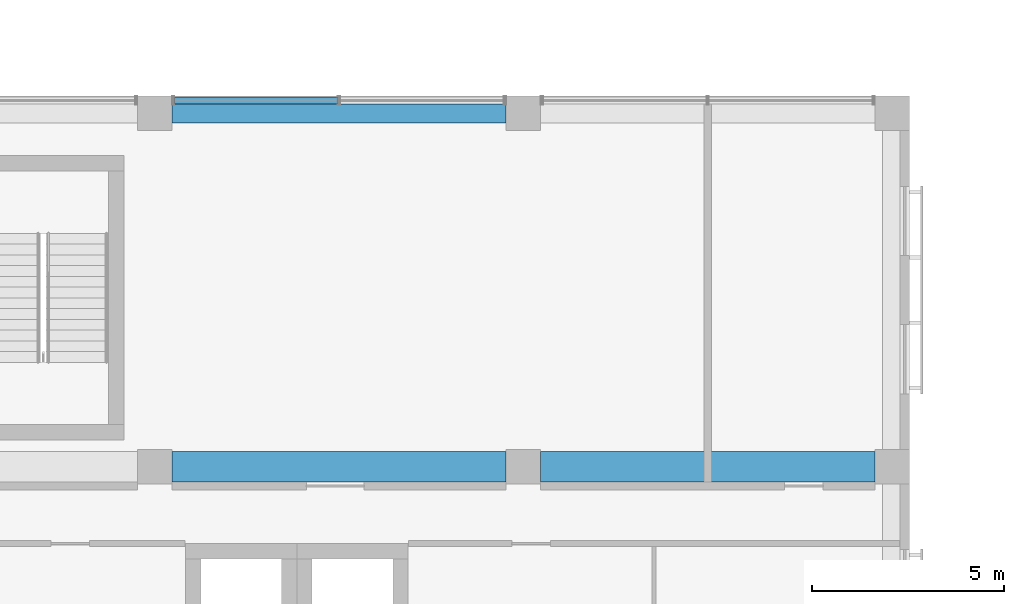
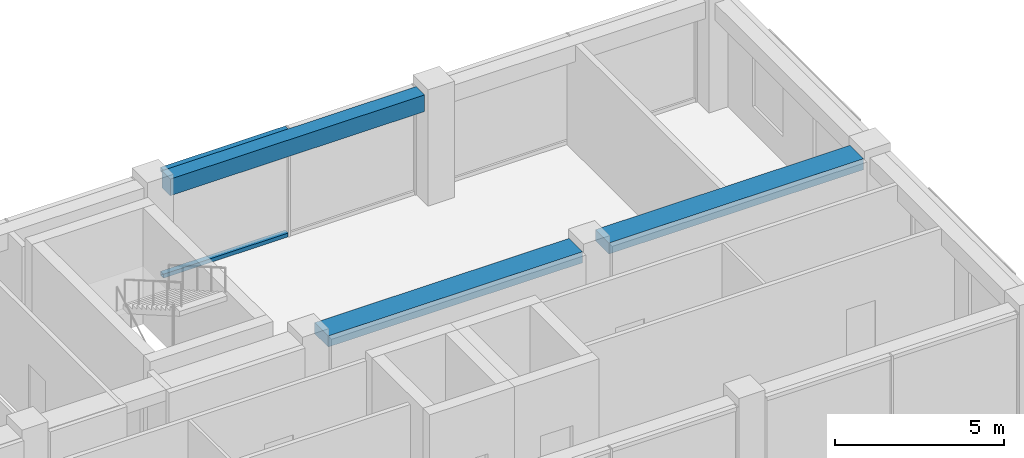
# One storey, part 23 of 36: 3 beams, 2 members, 1 element without a shape of its own.
"""IFC4 building model written with IfcOpenShell, lengths in metres."""

from ifc_helpers import new_model, si_unit, direction, frame, origin, origin_2d, place, context, subcontext, project, spatial, rectangle, hollow_rectangle, extrude, material, layer, layer_set, material_profile, profile_set, type_object, element, aggregate, save


model = new_model("IFC4")

# Units and contexts
model_context = context("Model", 3, precision=1e-05, world=origin(), true_north=direction((0.0, 1.0)))
body_context = subcontext(model_context, "Body", "Model", "MODEL_VIEW")
ifc_project = project(units=[si_unit("LENGTHUNIT", "METRE"), si_unit("AREAUNIT", "SQUARE_METRE"), si_unit("VOLUMEUNIT", "CUBIC_METRE"), si_unit("PLANEANGLEUNIT", "RADIAN"), si_unit("MASSUNIT", "GRAM", prefix="KILO")], contexts=[model_context])

# Site, building, storey
site_placement = place(None, origin())
site = spatial("IfcSite", under=ifc_project, at=site_placement, CompositionType="ELEMENT")
building_placement = place(site_placement, origin())
building = spatial("IfcBuilding", under=site, at=building_placement, Name="Nzadi Deep Aquarium and Research Tower", CompositionType="ELEMENT")
storey_placement = place(building_placement, frame((0.0, 0.0, 44.5)))
storey = spatial("IfcBuildingStorey", under=building, at=storey_placement, Name="L08", CompositionType="ELEMENT", Elevation=44.5)

# Beams
ifc_material_1 = material(Name="Concrete C35/45", Category="concrete")
ifc_material_profile_1 = material_profile(ifc_material_1, rectangle(XDim=0.5, YDim=0.60009765625, at=origin_2d()))
ifc_profile_set_1 = profile_set([ifc_material_profile_1], Name="Concrete C35/45")
beam_type_1 = type_object("IfcBeamType", Name="RC 500x600", PredefinedType="BEAM", material=ifc_profile_set_1)
beam_placement = place(storey_placement, frame((29.25, 46.0, 3.60009765625), z_axis=(1.0, 0.0, 0.0), x_axis=(0.0, 1.0, 0.0)))
element("IfcBeam", 1, at=beam_placement, inside=storey, type_object=beam_type_1, Name="B-Z1-L08-L6-4", PredefinedType="BEAM", context=body_context, shape_type="SweptSolid", body=[
    extrude(rectangle(XDim=0.5, YDim=0.60009765625, at=origin_2d()), origin(), (0.0, 0.0, 1.0), 8.699951171875),
])
ifc_material_2 = material(Name="Concrete C35/45", Category="concrete")
ifc_material_profile_2 = material_profile(ifc_material_2, rectangle(XDim=0.800048828125, YDim=0.39990234375, at=origin_2d()))
ifc_profile_set_2 = profile_set([ifc_material_profile_2], Name="Concrete C35/45")
beam_type_2 = type_object("IfcBeamType", Name="RC 800x400", PredefinedType="BEAM", material=ifc_profile_set_2)
for number, where, z_axis, x_axis, name in (
    (2, (29.25, 36.800048828125, 3.699951171875), (1.0, 0.0, 0.0), (0.0, 1.0, 0.0), "B-Z1-L08-L5-4"),
    (3, (38.85009765625, 36.800048828125, 3.699951171875), (1.0, 0.0, 0.0), (0.0, 1.0, 0.0), "B-Z1-L08-L5-5"),
):
    element("IfcBeam", number, at=place(storey_placement, frame(where, z_axis=z_axis, x_axis=x_axis)), inside=storey, type_object=beam_type_2, Name=name, PredefinedType="BEAM", context=body_context, shape_type="SweptSolid", body=[
        extrude(rectangle(XDim=0.800048828125, YDim=0.39990234375, at=origin_2d()), origin(), (0.0, 0.0, 1.0), 8.699951171875),
    ])

# Curtain wall, members
ifc_material_3 = material(Name="Aluminium unitised frame deep", Category="aluminium")
ifc_layer = layer(ifc_material_3, 0.22509765625)
ifc_layer_set = layer_set([ifc_layer], Name="Aluminium unitised frame deep")
curtain_wall_type = type_object("IfcCurtainWallType", Name="Curtain wall Unitised Deep 225", PredefinedType="NOTDEFINED", material=ifc_layer_set)
curtain_wall_placement = place(storey_placement, origin())
curtain_wall = element("IfcCurtainWall", 4, at=curtain_wall_placement, inside=storey, type_object=curtain_wall_type, Name="Unitised curtain wall blade B north L08", PredefinedType="NOTDEFINED")
ifc_material_4 = material(Name="Aluminium unitised frame deep", Category="aluminium")
ifc_material_profile_3 = material_profile(ifc_material_4, hollow_rectangle(XDim=0.179931640625, YDim=0.139892578125, WallThickness=0.0048828125, at=origin_2d()))
ifc_profile_set_3 = profile_set([ifc_material_profile_3], Name="Aluminium unitised frame deep")
member_type = type_object("IfcMemberType", Name="Transom 140x180 Unitised Deep", PredefinedType="MULLION", material=ifc_profile_set_3)
member_1_placement = place(storey_placement, frame((29.31005859375, 46.33740234375, 0.070068359375), z_axis=(1.0, 0.0, 0.0), x_axis=(0.0, 1.0, 0.0)))
member_1 = element("IfcMember", 5, at=member_1_placement, type_object=member_type, Name="CW116 transom 1.1", PredefinedType="MULLION", context=body_context, shape_type="SweptSolid", body=[
    extrude(hollow_rectangle(XDim=0.179931640625, YDim=0.139892578125, WallThickness=0.0048828125, at=origin_2d()), origin(), (0.0, 0.0, 1.0), 4.260009765625),
])
member_2_placement = place(storey_placement, frame((29.31005859375, 46.33740234375, 3.830078125), z_axis=(1.0, 0.0, 0.0), x_axis=(0.0, 1.0, 0.0)))
member_2 = element("IfcMember", 6, at=member_2_placement, type_object=member_type, Name="CW116 transom 1.2", PredefinedType="MULLION", context=body_context, shape_type="SweptSolid", body=[
    extrude(hollow_rectangle(XDim=0.179931640625, YDim=0.139892578125, WallThickness=0.0048828125, at=origin_2d()), origin(), (0.0, 0.0, 1.0), 4.260009765625),
])
aggregate(curtain_wall, [member_1, member_2])

save(model, "model.ifc")
